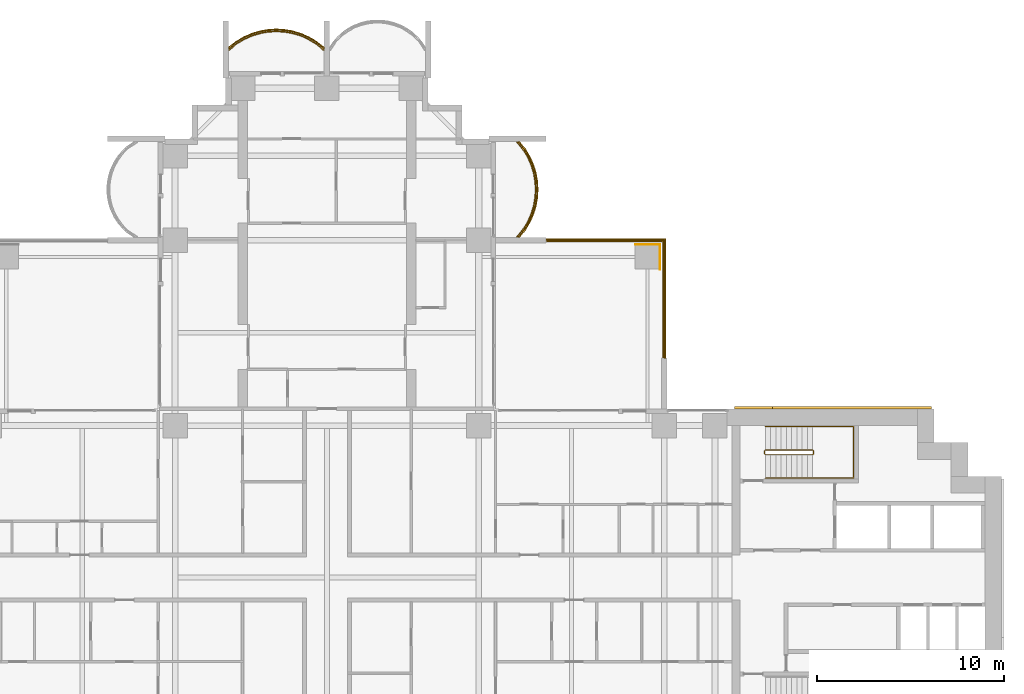
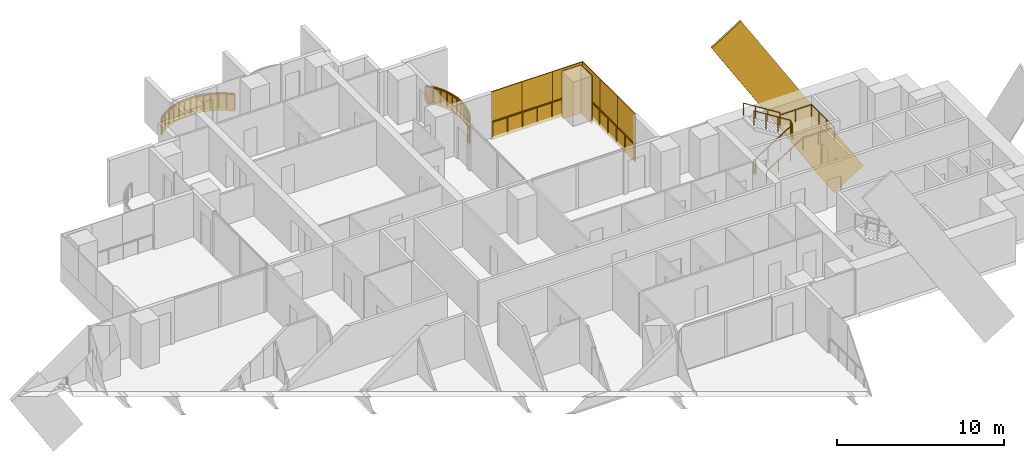
# One storey, part 21 of 22: 12 coverings, 5 railings.
"""IFC4 building model written with IfcOpenShell, lengths in metres."""

import ifcopenshell
import ifcopenshell.guid

model = None  # the IFC model being written
_history = None  # IfcOwnerHistory: only IFC2X3 demands one
_inside = {}  # id of a spatial element -> (the spatial element, [elements in it])
_under = {}  # id of a project, library or spatial element -> (it, [spatial elements below it])
_declared = {}  # id of a project -> (the project, [libraries it declares])
_typed = {}  # id of a type object -> (the type object, [elements of that type])
_made_of = {}  # id of a material, layer set ... -> (it, [elements and type objects made of it])


def new_model(schema):
    """Start an empty IFC model of exactly this schema.

    Asked for "IFC4X3", IfcOpenShell would pick the latest addendum, in which some entities
    have other attributes; the version numbers below select the first issue.
    IFC2X3 requires an IfcOwnerHistory on every rooted entity: one is made here for all.
    """
    global model, _history
    if schema == "IFC4X3":
        model = ifcopenshell.file(schema_version=(4, 3, 0, 0))
    else:
        model = ifcopenshell.file(schema=schema)
    _inside.clear()
    _under.clear()
    _declared.clear()
    _typed.clear()
    _made_of.clear()
    _history = None
    if model.schema == "IFC2X3":
        org = make("IfcOrganization", Name="unknown")
        user = make(
            "IfcPersonAndOrganization",
            ThePerson=make("IfcPerson", FamilyName="unknown"),
            TheOrganization=org,
        )
        app = make(
            "IfcApplication",
            ApplicationDeveloper=org,
            Version="unknown",
            ApplicationFullName="unknown",
            ApplicationIdentifier="unknown",
        )
        _history = make(
            "IfcOwnerHistory",
            OwningUser=user,
            OwningApplication=app,
            ChangeAction="ADDED",
            CreationDate=0,
        )
    return model


def make(cls, **values):
    """One entity of the class cls with the attributes given. An attribute that is None is left unset."""
    return model.create_entity(
        cls, **{name: value for name, value in values.items() if value is not None}
    )


def rooted(cls, **values):
    """An entity with a GlobalId (a new one), such as an element, a storey or a relation."""
    return make(cls, GlobalId=ifcopenshell.guid.new(), OwnerHistory=_history, **values)


def si_unit(unit_type, name, prefix=None):
    """IfcSIUnit, for example si_unit("LENGTHUNIT", "METRE", prefix="MILLI")."""
    return make("IfcSIUnit", UnitType=unit_type, Prefix=prefix, Name=name)


def assignment(units):
    """IfcUnitAssignment: the units of a project."""
    return None if units is None else make("IfcUnitAssignment", Units=units)


def point(xyz):
    """IfcCartesianPoint."""
    return None if xyz is None else make("IfcCartesianPoint", Coordinates=xyz)


def direction(xyz):
    """IfcDirection."""
    return None if xyz is None else make("IfcDirection", DirectionRatios=xyz)


def frame(location, z_axis=None, x_axis=None):
    """IfcAxis2Placement3D, a coordinate frame: its origin and axes. An axis left out is left unset."""
    return make(
        "IfcAxis2Placement3D",
        Location=point(location),
        Axis=direction(z_axis),
        RefDirection=direction(x_axis),
    )


def frame_2d(location, x_axis=None):
    """IfcAxis2Placement2D, a coordinate frame in the plane: its origin and x axis."""
    return make(
        "IfcAxis2Placement2D", Location=point(location), RefDirection=direction(x_axis)
    )


def origin():
    """The frame at (0, 0, 0) with its axes left unset."""
    return frame((0.0, 0.0, 0.0))


def origin_2d():
    """The frame at (0, 0) in the plane with its x axis left unset."""
    return frame_2d((0.0, 0.0))


def place(relative_to, where):
    """IfcLocalPlacement: puts the frame where relative to a parent placement (None: the world)."""
    return make(
        "IfcLocalPlacement", PlacementRelTo=relative_to, RelativePlacement=where
    )


def context(
    kind, dimensions, precision=None, world=None, true_north=None, identifier=None
):
    """IfcGeometricRepresentationContext, for example the 3D "Model" context."""
    return make(
        "IfcGeometricRepresentationContext",
        ContextIdentifier=identifier,
        ContextType=kind,
        CoordinateSpaceDimension=dimensions,
        Precision=precision,
        WorldCoordinateSystem=world,
        TrueNorth=true_north,
    )


def subcontext(parent, identifier, kind, view, scale=None):
    """IfcGeometricRepresentationSubContext, for example "Body" below "Model"."""
    return make(
        "IfcGeometricRepresentationSubContext",
        ContextIdentifier=identifier,
        ContextType=kind,
        ParentContext=parent,
        TargetScale=scale,
        TargetView=view,
    )


def project(units=None, contexts=None):
    """IfcProject with its units and contexts."""
    return rooted(
        "IfcProject",
        Name="project",
        RepresentationContexts=contexts,
        UnitsInContext=assignment(units),
    )


def spatial(cls, under=None, at=None, **own):
    """A site, building, storey or space (cls), placed at a placement, below another one or the project."""
    s = rooted(cls, ObjectPlacement=at, **own)
    if under is not None:
        _under.setdefault(under.id(), (under, []))[1].append(s)
    return s


def polyline(points):
    """IfcPolyline through the points."""
    return make("IfcPolyline", Points=[point(p) for p in points])


def profile(cls, at=None, kind="AREA", **sizes):
    """A parametric profile (cls). Its sizes go by their IFC names, for example OverallWidth=200.0."""
    return make(cls, ProfileType=kind, Position=at, **sizes)


def rectangle(**sizes):
    """IfcRectangleProfileDef."""
    return profile("IfcRectangleProfileDef", **sizes)


def outline(outer, holes=None, kind="AREA"):
    """IfcArbitraryClosedProfileDef: a profile drawn as a closed curve; with holes, ...WithVoids."""
    if holes is None:
        return make("IfcArbitraryClosedProfileDef", ProfileType=kind, OuterCurve=outer)
    return make(
        "IfcArbitraryProfileDefWithVoids",
        ProfileType=kind,
        OuterCurve=outer,
        InnerCurves=holes,
    )


def extrude(swept, where, along, depth):
    """IfcExtrudedAreaSolid: the profile swept, set in the frame where, extruded along a direction by depth."""
    return make(
        "IfcExtrudedAreaSolid",
        SweptArea=swept,
        Position=where,
        ExtrudedDirection=direction(along),
        Depth=depth,
    )


def shape(context_of_items, identifier, shape_type, items):
    """IfcShapeRepresentation: the items that make up one representation, for example the "Body"."""
    return make(
        "IfcShapeRepresentation",
        ContextOfItems=context_of_items,
        RepresentationIdentifier=identifier,
        RepresentationType=shape_type,
        Items=items,
    )


def material(Name=None, Category=None):
    """IfcMaterial."""
    return make("IfcMaterial", Name=Name, Category=Category)


def layer(
    of_material, thickness, ventilated=None, Name=None, Category=None, Priority=None
):
    """IfcMaterialLayer: one layer of a wall or slab, of a material (None: an air gap)."""
    return make(
        "IfcMaterialLayer",
        Material=of_material,
        LayerThickness=thickness,
        IsVentilated=ventilated,
        Name=Name,
        Category=Category,
        Priority=Priority,
    )


def layer_set(layers, Name=None):
    """IfcMaterialLayerSet."""
    return make("IfcMaterialLayerSet", MaterialLayers=layers, LayerSetName=Name)


def material_profile(
    of_material, cross_section, Name=None, Category=None, Priority=None
):
    """IfcMaterialProfile: a cross section and its material."""
    return make(
        "IfcMaterialProfile",
        Name=Name,
        Material=of_material,
        Profile=cross_section,
        Priority=Priority,
        Category=Category,
    )


def profile_set(profiles, Name=None, composite=None):
    """IfcMaterialProfileSet."""
    return make(
        "IfcMaterialProfileSet",
        Name=Name,
        MaterialProfiles=profiles,
        CompositeProfile=composite,
    )


def made_of(thing, what):
    """Note that an element or type object is made of a material, layer set ...; save() writes the relation."""
    if what is not None:
        _made_of.setdefault(what.id(), (what, []))[1].append(thing)
    return thing


def type_object(cls, material=None, **own):
    """A type object (cls), such as IfcWallType, which elements share."""
    return made_of(rooted(cls, **own), material)


def element(
    cls,
    number,
    at=None,
    inside=None,
    cuts=None,
    type_object=None,
    material=None,
    context=None,
    identifier="Body",
    shape_type=None,
    held_by="IfcProductDefinitionShape",
    body=None,
    shapes=None,
    **own,
):
    """One element of the class cls, such as IfcWall. Its Tag is "e" and its number.

    at: its placement. inside: the storey or other place that contains it. cuts: it is an
    opening in that element (IfcRelVoidsElement). A single representation is given by context,
    identifier, shape_type and body (its items); several are given by shapes. held_by: the class
    of the entity that holds the representations. save() writes the other relations.
    """
    e = rooted(cls, Tag="e%d" % number, ObjectPlacement=at, **own)
    if body is not None:
        shapes = [shape(context, identifier, shape_type, body)]
    if shapes is not None:
        e.Representation = make(held_by, Representations=shapes)
    if inside is not None:
        _inside.setdefault(inside.id(), (inside, []))[1].append(e)
    if cuts is not None:
        rooted(
            "IfcRelVoidsElement", RelatingBuildingElement=cuts, RelatedOpeningElement=e
        )
    if type_object is not None:
        _typed.setdefault(type_object.id(), (type_object, []))[1].append(e)
    return made_of(e, material)


def aggregate(whole, parts):
    """IfcRelAggregates: a whole, such as a stair, and the parts it consists of."""
    return rooted("IfcRelAggregates", RelatingObject=whole, RelatedObjects=parts)


def save(model, path):
    """Write the relations noted so far, then the file.

    IfcRelAggregates (storeys below a building ...), IfcRelContainedInSpatialStructure (elements
    in a storey), IfcRelDefinesByType, IfcRelAssociatesMaterial and IfcRelDeclares: one each for
    every whole, place, type object, material and project.
    """
    for whole, parts in _under.values():
        aggregate(whole, parts)
    for where, things in _inside.values():
        rooted(
            "IfcRelContainedInSpatialStructure",
            RelatedElements=things,
            RelatingStructure=where,
        )
    for kind, things in _typed.values():
        rooted("IfcRelDefinesByType", RelatedObjects=things, RelatingType=kind)
    for what, things in _made_of.values():
        rooted("IfcRelAssociatesMaterial", RelatedObjects=things, RelatingMaterial=what)
    for by, libraries in _declared.values():
        rooted("IfcRelDeclares", RelatingContext=by, RelatedDefinitions=libraries)
    model.write(path)


model = new_model("IFC4")

# Units and contexts
model_context = context("Model", 3, precision=1e-05, world=origin(), true_north=direction((0.0, 1.0)))
body_context = subcontext(model_context, "Body", "Model", "MODEL_VIEW")
ifc_project = project(units=[si_unit("LENGTHUNIT", "METRE"), si_unit("AREAUNIT", "SQUARE_METRE"), si_unit("VOLUMEUNIT", "CUBIC_METRE"), si_unit("PLANEANGLEUNIT", "RADIAN"), si_unit("MASSUNIT", "GRAM", prefix="KILO")], contexts=[model_context])

# Site, building, storey
site_placement = place(None, origin())
site = spatial("IfcSite", under=ifc_project, at=site_placement, CompositionType="ELEMENT")
building_placement = place(site_placement, origin())
building = spatial("IfcBuilding", under=site, at=building_placement, Name="Perihelion Cross Residences", CompositionType="ELEMENT")
storey_placement = place(building_placement, frame((0.0, 0.0, 50.5)))
storey = spatial("IfcBuildingStorey", under=building, at=storey_placement, Name="L09", CompositionType="ELEMENT", Elevation=50.5)

# Coverings
ifc_material_1 = material(Name="Bronze anodised aluminium", Category="aluminium")
ifc_layer_1 = layer(ifc_material_1, 0.070068359375)
ifc_layer_set_1 = layer_set([ifc_layer_1], Name="Balcony fascia 1300")
covering_type_1 = type_object("IfcCoveringType", Name="Balcony fascia 1300", PredefinedType="CLADDING", material=ifc_layer_set_1)
covering_1_placement = place(storey_placement, frame((0.0, 0.0, -0.199951171875)))
element("IfcCovering", 1, at=covering_1_placement, inside=storey, type_object=covering_type_1, Name="Fascia BF1 L09 north side east bay 2", PredefinedType="CLADDING", context=body_context, shape_type="SweptSolid", body=[
    extrude(outline(polyline([(10.59765625, 18.53515625), (10.85498046875, 18.96826171875), (11.04248046875, 19.401123046875), (11.170654296875, 19.833984375), (11.245361328125, 20.26708984375), (11.27001953125, 20.699951171875), (11.245361328125, 21.133056640625), (11.170654296875, 21.56591796875), (11.04248046875, 21.998779296875), (10.85498046875, 22.431884765625), (10.59765625, 22.86474609375), (10.28955078125, 23.25), (10.199951171875, 23.25), (10.5400390625, 22.824951171875), (10.792724609375, 22.39990234375), (10.9765625, 21.97509765625), (11.1025390625, 21.550048828125), (11.17578125, 21.125), (11.199951171875, 20.699951171875), (11.17578125, 20.27490234375), (11.1025390625, 19.85009765625), (10.9765625, 19.425048828125), (10.792724609375, 19.0), (10.5400390625, 18.574951171875), (10.199951171875, 18.14990234375), (10.28955078125, 18.14990234375), (10.59765625, 18.53515625)])), origin(), (0.0, 0.0, 1.0), 1.300048828125),
])
covering_2_placement = place(storey_placement, frame((0.0, 0.0, -0.199951171875)))
element("IfcCovering", 2, at=covering_2_placement, inside=storey, type_object=covering_type_1, Name="Fascia BF1 L09 north tip north bay 2", PredefinedType="CLADDING", context=body_context, shape_type="SweptSolid", body=[
    extrude(outline(polyline([(-0.53515625, 28.59765625), (-0.96826171875, 28.85498046875), (-1.401123046875, 29.04248046875), (-1.833984375, 29.170654296875), (-2.26708984375, 29.245361328125), (-2.699951171875, 29.27001953125), (-3.133056640625, 29.245361328125), (-3.56591796875, 29.170654296875), (-3.998779296875, 29.04248046875), (-4.431884765625, 28.85498046875), (-4.86474609375, 28.59765625), (-5.25, 28.28955078125), (-5.25, 28.199951171875), (-4.824951171875, 28.5400390625), (-4.39990234375, 28.792724609375), (-3.97509765625, 28.9765625), (-3.550048828125, 29.1025390625), (-3.125, 29.17578125), (-2.699951171875, 29.199951171875), (-2.27490234375, 29.17578125), (-1.85009765625, 29.1025390625), (-1.425048828125, 28.9765625), (-1.0, 28.792724609375), (-0.574951171875, 28.5400390625), (-0.14990234375, 28.199951171875), (-0.14990234375, 28.28955078125), (-0.53515625, 28.59765625)])), origin(), (0.0, 0.0, 1.0), 1.300048828125),
])

# Railings
ifc_material_2 = material(Name="Bronze anodised aluminium", Category="aluminium")
railing_type_1 = type_object("IfcRailingType", Name="Balcony guard 1100", PredefinedType="GUARDRAIL", material=ifc_material_2)
railing_1_placement = place(storey_placement, frame((10.139892578125, 18.175048828125, 0.0)))
element("IfcRailing", 3, at=railing_1_placement, inside=storey, type_object=railing_type_1, Name="Guard GU1 L09 north side east bay 2 balcony", PredefinedType="GUARDRAIL", context=body_context, shape_type="SweptSolid", body=[
    extrude(rectangle(XDim=0.048095703125, YDim=0.048095703125, at=origin_2d()), frame((0.0, 0.0, 1.076171875), z_axis=(0.647837396648, 0.761778647315, 0.0), x_axis=(-0.761778647315, 0.647837396648, 0.0)), (0.0, 0.0, 1.0), 0.52490234375),
    extrude(rectangle(XDim=0.048095703125, YDim=0.048095703125, at=origin_2d()), frame((0.340087890625, 0.39990234375, 1.076171875), z_axis=(0.511006381501, 0.859576918062, 0.0), x_axis=(-0.859576918062, 0.511006381501, 0.0)), (0.0, 0.0, 1.0), 0.494384765625),
    extrude(rectangle(XDim=0.048095703125, YDim=0.048095703125, at=origin_2d()), frame((0.5927734375, 0.824951171875, 1.076171875), z_axis=(0.397415137459, 0.917638931453, 0.0), x_axis=(-0.917638931453, 0.397415137459, 0.0)), (0.0, 0.0, 1.0), 0.463134765625),
    extrude(rectangle(XDim=0.048095703125, YDim=0.048095703125, at=origin_2d()), frame((0.77685546875, 1.25, 1.076171875), z_axis=(0.283656975924, 0.958925815697, 0.0), x_axis=(-0.958925815697, 0.283656975924, 0.0)), (0.0, 0.0, 1.0), 0.443359375),
    extrude(rectangle(XDim=0.048095703125, YDim=0.048095703125, at=origin_2d()), frame((0.902587890625, 1.675048828125, 1.076171875), z_axis=(0.170456843651, 0.985365142702, 0.0), x_axis=(-0.985365142702, 0.170456843651, 0.0)), (0.0, 0.0, 1.0), 0.43115234375),
    extrude(rectangle(XDim=0.048095703125, YDim=0.048095703125, at=origin_2d()), frame((0.97607421875, 2.099853515625, 1.076171875), z_axis=(0.056200523353, 0.9984195016, 0.0), x_axis=(-0.9984195016, 0.056200523353, 0.0)), (0.0, 0.0, 1.0), 0.42578125),
    extrude(rectangle(XDim=0.048095703125, YDim=0.048095703125, at=origin_2d()), frame((1.0, 2.52490234375, 1.076171875), z_axis=(-0.056200523353, 0.9984195016, 0.0), x_axis=(-0.9984195016, -0.056200523353, 0.0)), (0.0, 0.0, 1.0), 0.42578125),
    extrude(rectangle(XDim=0.048095703125, YDim=0.048095703125, at=origin_2d()), frame((0.97607421875, 2.949951171875, 1.076171875), z_axis=(-0.17036177859, 0.985381583142, 0.0), x_axis=(-0.985381583142, -0.17036177859, 0.0)), (0.0, 0.0, 1.0), 0.431396484375),
    extrude(rectangle(XDim=0.048095703125, YDim=0.048095703125, at=origin_2d()), frame((0.902587890625, 3.375, 1.076171875), z_axis=(-0.283656975924, 0.958925815697, 0.0), x_axis=(-0.958925815697, -0.283656975924, 0.0)), (0.0, 0.0, 1.0), 0.443359375),
    extrude(rectangle(XDim=0.048095703125, YDim=0.048095703125, at=origin_2d()), frame((0.77685546875, 3.800048828125, 1.076171875), z_axis=(-0.397607437634, 0.91755562531, 0.0), x_axis=(-0.91755562531, -0.397607437634, 0.0)), (0.0, 0.0, 1.0), 0.462890625),
    extrude(rectangle(XDim=0.048095703125, YDim=0.048095703125, at=origin_2d()), frame((0.5927734375, 4.224853515625, 1.076171875), z_axis=(-0.511006381501, 0.859576918062, 0.0), x_axis=(-0.859576918062, -0.511006381501, 0.0)), (0.0, 0.0, 1.0), 0.494384765625),
    extrude(rectangle(XDim=0.048095703125, YDim=0.048095703125, at=origin_2d()), frame((0.340087890625, 4.64990234375, 1.076171875), z_axis=(-0.647607934281, 0.761973728849, 0.0), x_axis=(-0.761973728849, -0.647607934281, 0.0)), (0.0, 0.0, 1.0), 0.525146484375),
    extrude(rectangle(XDim=0.0419921875, YDim=0.0419921875, at=origin_2d()), origin(), (0.0, 0.0, 1.0), 1.052001953125),
    extrude(rectangle(XDim=0.0419921875, YDim=0.0419921875, at=origin_2d()), frame((0.340087890625, 0.39990234375, 0.0)), (0.0, 0.0, 1.0), 1.052001953125),
    extrude(rectangle(XDim=0.0419921875, YDim=0.0419921875, at=origin_2d()), frame((0.5927734375, 0.824951171875, 0.0)), (0.0, 0.0, 1.0), 1.052001953125),
    extrude(rectangle(XDim=0.0419921875, YDim=0.0419921875, at=origin_2d()), frame((0.77685546875, 1.25, 0.0)), (0.0, 0.0, 1.0), 1.052001953125),
    extrude(rectangle(XDim=0.0419921875, YDim=0.0419921875, at=origin_2d()), frame((0.902587890625, 1.675048828125, 0.0)), (0.0, 0.0, 1.0), 1.052001953125),
    extrude(rectangle(XDim=0.0419921875, YDim=0.0419921875, at=origin_2d()), frame((0.97607421875, 2.099853515625, 0.0)), (0.0, 0.0, 1.0), 1.052001953125),
    extrude(rectangle(XDim=0.0419921875, YDim=0.0419921875, at=origin_2d()), frame((1.0, 2.52490234375, 0.0)), (0.0, 0.0, 1.0), 1.052001953125),
    extrude(rectangle(XDim=0.0419921875, YDim=0.0419921875, at=origin_2d()), frame((0.97607421875, 2.949951171875, 0.0)), (0.0, 0.0, 1.0), 1.052001953125),
    extrude(rectangle(XDim=0.0419921875, YDim=0.0419921875, at=origin_2d()), frame((0.902587890625, 3.375, 0.0)), (0.0, 0.0, 1.0), 1.052001953125),
    extrude(rectangle(XDim=0.0419921875, YDim=0.0419921875, at=origin_2d()), frame((0.77685546875, 3.800048828125, 0.0)), (0.0, 0.0, 1.0), 1.052001953125),
    extrude(rectangle(XDim=0.0419921875, YDim=0.0419921875, at=origin_2d()), frame((0.5927734375, 4.224853515625, 0.0)), (0.0, 0.0, 1.0), 1.052001953125),
    extrude(rectangle(XDim=0.0419921875, YDim=0.0419921875, at=origin_2d()), frame((0.340087890625, 4.64990234375, 0.0)), (0.0, 0.0, 1.0), 1.052001953125),
    extrude(rectangle(XDim=0.0419921875, YDim=0.0419921875, at=origin_2d()), frame((0.0, 5.050048828125, 0.0)), (0.0, 0.0, 1.0), 1.052001953125),
])
railing_2_placement = place(storey_placement, frame((-0.175048828125, 28.139892578125, 0.0)))
element("IfcRailing", 4, at=railing_2_placement, inside=storey, type_object=railing_type_1, Name="Guard GU1 L09 north tip north bay 2 balcony", PredefinedType="GUARDRAIL", context=body_context, shape_type="SweptSolid", body=[
    extrude(rectangle(XDim=0.048095703125, YDim=0.048095703125, at=origin_2d()), frame((0.0, 0.0, 1.076171875), z_axis=(-0.761778647315, 0.647837396648, 0.0), x_axis=(-0.647837396648, -0.761778647315, 0.0)), (0.0, 0.0, 1.0), 0.52490234375),
    extrude(rectangle(XDim=0.048095703125, YDim=0.048095703125, at=origin_2d()), frame((-0.39990234375, 0.340087890625, 1.076171875), z_axis=(-0.859576918062, 0.511006381501, 0.0), x_axis=(-0.511006381501, -0.859576918062, 0.0)), (0.0, 0.0, 1.0), 0.494384765625),
    extrude(rectangle(XDim=0.048095703125, YDim=0.048095703125, at=origin_2d()), frame((-0.824951171875, 0.5927734375, 1.076171875), z_axis=(-0.917638931453, 0.397415137459, 0.0), x_axis=(-0.397415137459, -0.917638931453, 0.0)), (0.0, 0.0, 1.0), 0.463134765625),
    extrude(rectangle(XDim=0.048095703125, YDim=0.048095703125, at=origin_2d()), frame((-1.25, 0.77685546875, 1.076171875), z_axis=(-0.958925815697, 0.283656975924, 0.0), x_axis=(-0.283656975924, -0.958925815697, 0.0)), (0.0, 0.0, 1.0), 0.443359375),
    extrude(rectangle(XDim=0.048095703125, YDim=0.048095703125, at=origin_2d()), frame((-1.675048828125, 0.902587890625, 1.076171875), z_axis=(-0.985365142702, 0.170456843651, 0.0), x_axis=(-0.170456843651, -0.985365142702, 0.0)), (0.0, 0.0, 1.0), 0.43115234375),
    extrude(rectangle(XDim=0.048095703125, YDim=0.048095703125, at=origin_2d()), frame((-2.099853515625, 0.97607421875, 1.076171875), z_axis=(-0.9984195016, 0.056200523353, 0.0), x_axis=(-0.056200523353, -0.9984195016, 0.0)), (0.0, 0.0, 1.0), 0.42578125),
    extrude(rectangle(XDim=0.048095703125, YDim=0.048095703125, at=origin_2d()), frame((-2.52490234375, 1.0, 1.076171875), z_axis=(-0.9984195016, -0.056200523353, 0.0), x_axis=(0.056200523353, -0.9984195016, 0.0)), (0.0, 0.0, 1.0), 0.42578125),
    extrude(rectangle(XDim=0.048095703125, YDim=0.048095703125, at=origin_2d()), frame((-2.949951171875, 0.97607421875, 1.076171875), z_axis=(-0.985381583142, -0.17036177859, 0.0), x_axis=(0.17036177859, -0.985381583142, 0.0)), (0.0, 0.0, 1.0), 0.431396484375),
    extrude(rectangle(XDim=0.048095703125, YDim=0.048095703125, at=origin_2d()), frame((-3.375, 0.902587890625, 1.076171875), z_axis=(-0.958925815697, -0.283656975924, 0.0), x_axis=(0.283656975924, -0.958925815697, 0.0)), (0.0, 0.0, 1.0), 0.443359375),
    extrude(rectangle(XDim=0.048095703125, YDim=0.048095703125, at=origin_2d()), frame((-3.800048828125, 0.77685546875, 1.076171875), z_axis=(-0.91755562531, -0.397607437634, 0.0), x_axis=(0.397607437634, -0.91755562531, 0.0)), (0.0, 0.0, 1.0), 0.462890625),
    extrude(rectangle(XDim=0.048095703125, YDim=0.048095703125, at=origin_2d()), frame((-4.224853515625, 0.5927734375, 1.076171875), z_axis=(-0.859576918062, -0.511006381501, 0.0), x_axis=(0.511006381501, -0.859576918062, 0.0)), (0.0, 0.0, 1.0), 0.494384765625),
    extrude(rectangle(XDim=0.048095703125, YDim=0.048095703125, at=origin_2d()), frame((-4.64990234375, 0.340087890625, 1.076171875), z_axis=(-0.761973728849, -0.647607934281, 0.0), x_axis=(0.647607934281, -0.761973728849, 0.0)), (0.0, 0.0, 1.0), 0.525146484375),
    extrude(rectangle(XDim=0.0419921875, YDim=0.0419921875, at=origin_2d()), origin(), (0.0, 0.0, 1.0), 1.052001953125),
    extrude(rectangle(XDim=0.0419921875, YDim=0.0419921875, at=origin_2d()), frame((-0.39990234375, 0.340087890625, 0.0)), (0.0, 0.0, 1.0), 1.052001953125),
    extrude(rectangle(XDim=0.0419921875, YDim=0.0419921875, at=origin_2d()), frame((-0.824951171875, 0.5927734375, 0.0)), (0.0, 0.0, 1.0), 1.052001953125),
    extrude(rectangle(XDim=0.0419921875, YDim=0.0419921875, at=origin_2d()), frame((-1.25, 0.77685546875, 0.0)), (0.0, 0.0, 1.0), 1.052001953125),
    extrude(rectangle(XDim=0.0419921875, YDim=0.0419921875, at=origin_2d()), frame((-1.675048828125, 0.902587890625, 0.0)), (0.0, 0.0, 1.0), 1.052001953125),
    extrude(rectangle(XDim=0.0419921875, YDim=0.0419921875, at=origin_2d()), frame((-2.099853515625, 0.97607421875, 0.0)), (0.0, 0.0, 1.0), 1.052001953125),
    extrude(rectangle(XDim=0.0419921875, YDim=0.0419921875, at=origin_2d()), frame((-2.52490234375, 1.0, 0.0)), (0.0, 0.0, 1.0), 1.052001953125),
    extrude(rectangle(XDim=0.0419921875, YDim=0.0419921875, at=origin_2d()), frame((-2.949951171875, 0.97607421875, 0.0)), (0.0, 0.0, 1.0), 1.052001953125),
    extrude(rectangle(XDim=0.0419921875, YDim=0.0419921875, at=origin_2d()), frame((-3.375, 0.902587890625, 0.0)), (0.0, 0.0, 1.0), 1.052001953125),
    extrude(rectangle(XDim=0.0419921875, YDim=0.0419921875, at=origin_2d()), frame((-3.800048828125, 0.77685546875, 0.0)), (0.0, 0.0, 1.0), 1.052001953125),
    extrude(rectangle(XDim=0.0419921875, YDim=0.0419921875, at=origin_2d()), frame((-4.224853515625, 0.5927734375, 0.0)), (0.0, 0.0, 1.0), 1.052001953125),
    extrude(rectangle(XDim=0.0419921875, YDim=0.0419921875, at=origin_2d()), frame((-4.64990234375, 0.340087890625, 0.0)), (0.0, 0.0, 1.0), 1.052001953125),
    extrude(rectangle(XDim=0.0419921875, YDim=0.0419921875, at=origin_2d()), frame((-5.050048828125, 0.0, 0.0)), (0.0, 0.0, 1.0), 1.052001953125),
])
railing_3_placement = place(storey_placement, frame((11.739990234375, 17.93994140625, 0.0)))
element("IfcRailing", 5, at=railing_3_placement, inside=storey, type_object=railing_type_1, Name="Guard GU1 L09 pocket north-east 1", PredefinedType="GUARDRAIL", context=body_context, shape_type="SweptSolid", body=[
    extrude(rectangle(XDim=0.048095703125, YDim=0.048095703125, at=origin_2d()), frame((0.0, 0.0, 1.076171875), z_axis=(1.0, 0.0, 0.0), x_axis=(0.0, 1.0, 0.0)), (0.0, 0.0, 1.0), 6.199951171875),
    extrude(rectangle(XDim=0.048095703125, YDim=0.048095703125, at=origin_2d()), frame((6.199951171875, 0.0, 1.076171875), z_axis=(0.0, -1.0, 0.0), x_axis=(1.0, 0.0, 0.0)), (0.0, 0.0, 1.0), 6.199951171875),
    extrude(rectangle(XDim=0.0419921875, YDim=0.0419921875, at=origin_2d()), origin(), (0.0, 0.0, 1.0), 1.052001953125),
    extrude(rectangle(XDim=0.0419921875, YDim=0.0419921875, at=origin_2d()), frame((1.033203125, 0.0, 0.0)), (0.0, 0.0, 1.0), 1.052001953125),
    extrude(rectangle(XDim=0.0419921875, YDim=0.0419921875, at=origin_2d()), frame((2.066650390625, 0.0, 0.0)), (0.0, 0.0, 1.0), 1.052001953125),
    extrude(rectangle(XDim=0.0419921875, YDim=0.0419921875, at=origin_2d()), frame((3.10009765625, 0.0, 0.0)), (0.0, 0.0, 1.0), 1.052001953125),
    extrude(rectangle(XDim=0.0419921875, YDim=0.0419921875, at=origin_2d()), frame((4.13330078125, 0.0, 0.0)), (0.0, 0.0, 1.0), 1.052001953125),
    extrude(rectangle(XDim=0.0419921875, YDim=0.0419921875, at=origin_2d()), frame((5.16650390625, 0.0, 0.0)), (0.0, 0.0, 1.0), 1.052001953125),
    extrude(rectangle(XDim=0.0419921875, YDim=0.0419921875, at=origin_2d()), frame((6.199951171875, 0.0, 0.0)), (0.0, 0.0, 1.0), 1.052001953125),
    extrude(rectangle(XDim=0.0419921875, YDim=0.0419921875, at=origin_2d()), frame((6.199951171875, -1.033203125, 0.0)), (0.0, 0.0, 1.0), 1.052001953125),
    extrude(rectangle(XDim=0.0419921875, YDim=0.0419921875, at=origin_2d()), frame((6.199951171875, -2.066650390625, 0.0)), (0.0, 0.0, 1.0), 1.052001953125),
    extrude(rectangle(XDim=0.0419921875, YDim=0.0419921875, at=origin_2d()), frame((6.199951171875, -3.10009765625, 0.0)), (0.0, 0.0, 1.0), 1.052001953125),
    extrude(rectangle(XDim=0.0419921875, YDim=0.0419921875, at=origin_2d()), frame((6.199951171875, -4.13330078125, 0.0)), (0.0, 0.0, 1.0), 1.052001953125),
    extrude(rectangle(XDim=0.0419921875, YDim=0.0419921875, at=origin_2d()), frame((6.199951171875, -5.16650390625, 0.0)), (0.0, 0.0, 1.0), 1.052001953125),
    extrude(rectangle(XDim=0.0419921875, YDim=0.0419921875, at=origin_2d()), frame((6.199951171875, -6.199951171875, 0.0)), (0.0, 0.0, 1.0), 1.052001953125),
])

# Coverings
ifc_material_3 = material(Name="Bronze anodised aluminium", Category="aluminium")
ifc_material_profile = material_profile(ifc_material_3, rectangle(XDim=0.125, YDim=2.39990234375, at=origin_2d()), Name="Bronze cladding band 2400")
ifc_profile_set = profile_set([ifc_material_profile], Name="Bronze anodised aluminium")
covering_type_2 = type_object("IfcCoveringType", Name="Bronze cladding band 2400", PredefinedType="CLADDING", material=ifc_profile_set)
covering_3_placement = place(storey_placement, frame((31.232421875, 9.0625, -4.509765625), z_axis=(-0.529924750763, 0.0, 0.848044667767), x_axis=(0.0, -1.0, 0.0)))
element("IfcCovering", 6, at=covering_3_placement, inside=storey, type_object=covering_type_2, Name="Core cladding band, east core", PredefinedType="CLADDING", context=body_context, shape_type="SweptSolid", body=[
    extrude(rectangle(XDim=0.125, YDim=2.39990234375, at=origin_2d()), origin(), (0.0, 0.0, 1.0), 15.9736328125),
])
ifc_material_4 = material(Name="Bronze anodised aluminium", Category="aluminium")
ifc_layer_2 = layer(ifc_material_4, 0.0400390625)
ifc_layer_set_2 = layer_set([ifc_layer_2], Name="Bronze column casing 40")
covering_type_3 = type_object("IfcCoveringType", Name="Bronze column casing 40", PredefinedType="CLADDING", material=ifc_layer_set_2)
covering_4_placement = place(storey_placement, frame((17.77001953125, 17.10009765625, -0.25), z_axis=(0.0, 0.0, 1.0), x_axis=(1.0, 0.0, 0.0)))
element("IfcCovering", 7, at=covering_4_placement, inside=storey, type_object=covering_type_3, Name="Cladding CC1 L09 casing east-west no. 4", PredefinedType="CLADDING", context=body_context, shape_type="SweptSolid", body=[
    extrude(rectangle(XDim=0.0400390625, YDim=1.3798828125, at=origin_2d()), origin(), (0.0, 0.0, 1.0), 3.5),
])
covering_5_placement = place(storey_placement, frame((17.10009765625, 17.77001953125, -0.25), z_axis=(0.0, 0.0, 1.0), x_axis=(1.0, 0.0, 0.0)))
element("IfcCovering", 8, at=covering_5_placement, inside=storey, type_object=covering_type_3, Name="Cladding CC1 L09 casing north-south no. 4", PredefinedType="CLADDING", context=body_context, shape_type="SweptSolid", body=[
    extrude(rectangle(XDim=1.300048828125, YDim=0.0400390625, at=origin_2d()), origin(), (0.0, 0.0, 1.0), 3.5),
])
ifc_material_5 = material(Name="Bronze anodised aluminium", Category="aluminium")
ifc_layer_3 = layer(ifc_material_5, 0.070068359375)
ifc_layer_set_3 = layer_set([ifc_layer_3], Name="Pocket fascia 1350")
covering_type_4 = type_object("IfcCoveringType", Name="Pocket fascia 1350", PredefinedType="CLADDING", material=ifc_layer_set_3)
covering_6_placement = place(storey_placement, frame((0.0, 0.0, -0.25)))
element("IfcCovering", 9, at=covering_6_placement, inside=storey, type_object=covering_type_4, Name="Fascia BF2 L09 pocket north-east 3", PredefinedType="CLADDING", context=body_context, shape_type="SweptSolid", body=[
    extrude(outline(polyline([(18.070068359375, 18.070068359375), (11.699951171875, 18.070068359375), (11.699951171875, 18.0), (18.0, 18.0), (18.0, 11.699951171875), (18.070068359375, 11.699951171875), (18.070068359375, 18.070068359375)])), origin(), (0.0, 0.0, 1.0), 1.35009765625),
])
ifc_material_6 = material(Name="Bronze perforated aluminium", Category="aluminium")
ifc_layer_4 = layer(ifc_material_6, 0.070068359375)
ifc_layer_set_4 = layer_set([ifc_layer_4], Name="Pocket solar screen, bronze perforated")
covering_type_5 = type_object("IfcCoveringType", Name="Pocket solar screen, bronze perforated", PredefinedType="CLADDING", material=ifc_layer_set_4)
covering_7_placement = place(storey_placement, frame((0.0, 0.0, 1.10009765625)))
element("IfcCovering", 10, at=covering_7_placement, inside=storey, type_object=covering_type_5, Name="Solar screen PS1 L09 pocket north-east no. 1", PredefinedType="CLADDING", context=body_context, shape_type="SweptSolid", body=[
    extrude(outline(polyline([(18.070068359375, 11.699951171875), (18.070068359375, 13.800048828125), (18.0, 13.800048828125), (18.0, 11.699951171875), (18.070068359375, 11.699951171875)])), origin(), (0.0, 0.0, 1.0), 2.14990234375),
])
covering_8_placement = place(storey_placement, frame((0.0, 0.0, 1.10009765625)))
element("IfcCovering", 11, at=covering_8_placement, inside=storey, type_object=covering_type_5, Name="Solar screen PS1 L09 pocket north-east no. 2", PredefinedType="CLADDING", context=body_context, shape_type="SweptSolid", body=[
    extrude(outline(polyline([(18.070068359375, 13.800048828125), (18.070068359375, 15.89990234375), (18.0, 15.89990234375), (18.0, 13.800048828125), (18.070068359375, 13.800048828125)])), origin(), (0.0, 0.0, 1.0), 2.14990234375),
])
covering_9_placement = place(storey_placement, frame((0.0, 0.0, 1.10009765625)))
element("IfcCovering", 12, at=covering_9_placement, inside=storey, type_object=covering_type_5, Name="Solar screen PS1 L09 pocket north-east no. 3", PredefinedType="CLADDING", context=body_context, shape_type="SweptSolid", body=[
    extrude(outline(polyline([(18.070068359375, 15.89990234375), (18.070068359375, 18.0), (18.0, 18.0), (18.0, 15.89990234375), (18.070068359375, 15.89990234375)])), origin(), (0.0, 0.0, 1.0), 2.14990234375),
])
covering_10_placement = place(storey_placement, frame((0.0, 0.0, 1.10009765625)))
element("IfcCovering", 13, at=covering_10_placement, inside=storey, type_object=covering_type_5, Name="Solar screen PS1 L09 pocket north-east no. 4", PredefinedType="CLADDING", context=body_context, shape_type="SweptSolid", body=[
    extrude(outline(polyline([(13.8232421875, 18.0), (13.8232421875, 18.070068359375), (11.699951171875, 18.070068359375), (11.699951171875, 18.0), (13.8232421875, 18.0)])), origin(), (0.0, 0.0, 1.0), 2.14990234375),
])
covering_11_placement = place(storey_placement, frame((0.0, 0.0, 1.10009765625)))
element("IfcCovering", 14, at=covering_11_placement, inside=storey, type_object=covering_type_5, Name="Solar screen PS1 L09 pocket north-east no. 5", PredefinedType="CLADDING", context=body_context, shape_type="SweptSolid", body=[
    extrude(outline(polyline([(15.94677734375, 18.0), (15.94677734375, 18.070068359375), (13.8232421875, 18.070068359375), (13.8232421875, 18.0), (15.94677734375, 18.0)])), origin(), (0.0, 0.0, 1.0), 2.14990234375),
])
covering_12_placement = place(storey_placement, frame((0.0, 0.0, 1.10009765625)))
element("IfcCovering", 15, at=covering_12_placement, inside=storey, type_object=covering_type_5, Name="Solar screen PS1 L09 pocket north-east no. 6", PredefinedType="CLADDING", context=body_context, shape_type="SweptSolid", body=[
    extrude(outline(polyline([(18.070068359375, 18.0), (18.070068359375, 18.070068359375), (15.94677734375, 18.070068359375), (15.94677734375, 18.0), (18.070068359375, 18.0)])), origin(), (0.0, 0.0, 1.0), 2.14990234375),
])

# Railings
ifc_material_7 = material(Name="Stainless steel", Category="steel")
railing_type_2 = type_object("IfcRailingType", Name="Stair guard 1100", PredefinedType="GUARDRAIL", material=ifc_material_7)
railing_4_placement = place(storey_placement, frame((23.35009765625, 6.75, 0.0)))
element("IfcRailing", 16, at=railing_4_placement, inside=storey, type_object=railing_type_2, Name="L09 ST-E1 stair guard 1", PredefinedType="GUARDRAIL", context=body_context, shape_type="SweptSolid", body=[
    extrude(rectangle(XDim=0.048095703125, YDim=0.048095703125, at=origin_2d()), frame((0.0, 0.0, 1.076171875), z_axis=(0.0, -1.0, 0.0), x_axis=(1.0, 0.0, 0.0)), (0.0, 0.0, 1.0), 0.14990234375),
    extrude(rectangle(XDim=0.048095703125, YDim=0.048095703125, at=origin_2d()), frame((0.0, -0.14990234375, 1.076171875), z_axis=(0.263862480399, -0.265155923931, 0.927399011991), x_axis=(0.708833529934, 0.705375805398, 0.0)), (0.0, 0.0, 1.0), 0.188720703125),
    extrude(rectangle(XDim=0.048095703125, YDim=0.048095703125, at=origin_2d()), frame((0.0498046875, -0.199951171875, 1.2509765625), z_axis=(0.848007534815, 0.0, 0.529984170421), x_axis=(0.0, 1.0, 0.0)), (0.0, 0.0, 1.0), 2.9716796875),
    extrude(rectangle(XDim=0.048095703125, YDim=0.048095703125, at=origin_2d()), frame((2.56982421875, -0.199951171875, 2.826171875), z_axis=(0.707106781187, 0.707106781187, 0.0), x_axis=(-0.707106781187, 0.707106781187, 0.0)), (0.0, 0.0, 1.0), 0.07080078125),
    extrude(rectangle(XDim=0.048095703125, YDim=0.048095703125, at=origin_2d()), frame((2.619873046875, -0.14990234375, 2.826171875), z_axis=(0.0, 1.0, 0.0), x_axis=(-1.0, 0.0, 0.0)), (0.0, 0.0, 1.0), 0.14990234375),
    extrude(rectangle(XDim=0.048095703125, YDim=0.048095703125, at=origin_2d()), frame((2.619873046875, 0.0, 2.826171875), z_axis=(-0.265065253269, 0.265065253269, 0.927081885822), x_axis=(-0.707106781187, -0.707106781187, 0.0)), (0.0, 0.0, 1.0), 0.188720703125),
    extrude(rectangle(XDim=0.048095703125, YDim=0.048095703125, at=origin_2d()), frame((2.56982421875, 0.050048828125, 3.0009765625), z_axis=(-0.848007534815, 0.0, 0.529984170421), x_axis=(0.0, -1.0, 0.0)), (0.0, 0.0, 1.0), 2.9716796875),
    extrude(rectangle(XDim=0.0419921875, YDim=0.0419921875, at=origin_2d()), origin(), (0.0, 0.0, 1.0), 1.052001953125),
    extrude(rectangle(XDim=0.0419921875, YDim=0.0419921875, at=origin_2d()), frame((0.0, -0.14990234375, 0.0)), (0.0, 0.0, 1.0), 1.052001953125),
    extrude(rectangle(XDim=0.0419921875, YDim=0.0419921875, at=origin_2d()), frame((0.0498046875, -0.199951171875, 0.175048828125)), (0.0, 0.0, 1.0), 1.052001953125),
    extrude(rectangle(XDim=0.0419921875, YDim=0.0419921875, at=origin_2d()), frame((0.889892578125, -0.199951171875, 0.699951171875)), (0.0, 0.0, 1.0), 1.052001953125),
    extrude(rectangle(XDim=0.0419921875, YDim=0.0419921875, at=origin_2d()), frame((1.729736328125, -0.199951171875, 1.22509765625)), (0.0, 0.0, 1.0), 1.052001953125),
    extrude(rectangle(XDim=0.0419921875, YDim=0.0419921875, at=origin_2d()), frame((2.56982421875, -0.199951171875, 1.75)), (0.0, 0.0, 1.0), 1.052001953125),
    extrude(rectangle(XDim=0.0419921875, YDim=0.0419921875, at=origin_2d()), frame((2.619873046875, -0.14990234375, 1.75)), (0.0, 0.0, 1.0), 1.052001953125),
    extrude(rectangle(XDim=0.0419921875, YDim=0.0419921875, at=origin_2d()), frame((2.619873046875, 0.0, 1.75)), (0.0, 0.0, 1.0), 1.052001953125),
    extrude(rectangle(XDim=0.0419921875, YDim=0.0419921875, at=origin_2d()), frame((2.56982421875, 0.050048828125, 1.925048828125)), (0.0, 0.0, 1.0), 1.052001953125),
    extrude(rectangle(XDim=0.0419921875, YDim=0.0419921875, at=origin_2d()), frame((1.729736328125, 0.050048828125, 2.449951171875)), (0.0, 0.0, 1.0), 1.052001953125),
    extrude(rectangle(XDim=0.0419921875, YDim=0.0419921875, at=origin_2d()), frame((0.889892578125, 0.050048828125, 2.97509765625)), (0.0, 0.0, 1.0), 1.052001953125),
    extrude(rectangle(XDim=0.0419921875, YDim=0.0419921875, at=origin_2d()), frame((0.0498046875, 0.050048828125, 3.5)), (0.0, 0.0, 1.0), 1.052001953125),
])
ifc_material_8 = material(Name="Stainless steel", Category="steel")
railing_type_3 = type_object("IfcRailingType", Name="Stair handrail 900", PredefinedType="HANDRAIL", material=ifc_material_8)
railing_5_placement = place(storey_placement, frame((23.39990234375, 5.300048828125, 0.175048828125)))
element("IfcRailing", 17, at=railing_5_placement, inside=storey, type_object=railing_type_3, Name="L09 ST-E1 stair handrail 1", PredefinedType="HANDRAIL", context=body_context, shape_type="SweptSolid", body=[
    extrude(rectangle(XDim=0.048095703125, YDim=0.048095703125, at=origin_2d()), frame((0.0, 0.0, 0.8759765625), z_axis=(0.848007534815, 0.0, 0.529984170421), x_axis=(0.0, 1.0, 0.0)), (0.0, 0.0, 1.0), 2.9716796875),
    extrude(rectangle(XDim=0.048095703125, YDim=0.048095703125, at=origin_2d()), frame((2.52001953125, 0.0, 2.45068359375), z_axis=(1.0, 0.0, 0.0), x_axis=(0.0, 1.0, 0.0)), (0.0, 0.0, 1.0), 2.18017578125),
    extrude(rectangle(XDim=0.048095703125, YDim=0.048095703125, at=origin_2d()), frame((4.7001953125, 0.0, 2.45068359375), z_axis=(0.0, 1.0, 0.0), x_axis=(-1.0, 0.0, 0.0)), (0.0, 0.0, 1.0), 2.75),
    extrude(rectangle(XDim=0.048095703125, YDim=0.048095703125, at=origin_2d()), frame((4.7001953125, 2.75, 2.45068359375), z_axis=(-1.0, 0.0, 0.0), x_axis=(0.0, -1.0, 0.0)), (0.0, 0.0, 1.0), 2.18017578125),
    extrude(rectangle(XDim=0.048095703125, YDim=0.048095703125, at=origin_2d()), frame((2.52001953125, 2.75, 2.45068359375), z_axis=(0.0, 0.0, 1.0), x_axis=(1.0, 0.0, 0.0)), (0.0, 0.0, 1.0), 0.175048828125),
    extrude(rectangle(XDim=0.048095703125, YDim=0.048095703125, at=origin_2d()), frame((2.52001953125, 2.75, 2.6259765625), z_axis=(-0.848007534815, 0.0, 0.529984170421), x_axis=(0.0, -1.0, 0.0)), (0.0, 0.0, 1.0), 2.9716796875),
    extrude(rectangle(XDim=0.0419921875, YDim=0.0419921875, at=origin_2d()), origin(), (0.0, 0.0, 1.0), 0.851806640625),
    extrude(rectangle(XDim=0.0419921875, YDim=0.0419921875, at=origin_2d()), frame((0.840087890625, 0.0, 0.52490234375)), (0.0, 0.0, 1.0), 0.851806640625),
    extrude(rectangle(XDim=0.0419921875, YDim=0.0419921875, at=origin_2d()), frame((1.679931640625, 0.0, 1.050048828125)), (0.0, 0.0, 1.0), 0.851806640625),
    extrude(rectangle(XDim=0.0419921875, YDim=0.0419921875, at=origin_2d()), frame((2.52001953125, 0.0, 1.574951171875)), (0.0, 0.0, 1.0), 0.851806640625),
    extrude(rectangle(XDim=0.0419921875, YDim=0.0419921875, at=origin_2d()), frame((3.610107421875, 0.0, 1.574951171875)), (0.0, 0.0, 1.0), 0.851806640625),
    extrude(rectangle(XDim=0.0419921875, YDim=0.0419921875, at=origin_2d()), frame((4.7001953125, 0.0, 1.574951171875)), (0.0, 0.0, 1.0), 0.851806640625),
    extrude(rectangle(XDim=0.0419921875, YDim=0.0419921875, at=origin_2d()), frame((4.7001953125, 0.916748046875, 1.574951171875)), (0.0, 0.0, 1.0), 0.851806640625),
    extrude(rectangle(XDim=0.0419921875, YDim=0.0419921875, at=origin_2d()), frame((4.7001953125, 1.833251953125, 1.574951171875)), (0.0, 0.0, 1.0), 0.851806640625),
    extrude(rectangle(XDim=0.0419921875, YDim=0.0419921875, at=origin_2d()), frame((4.7001953125, 2.75, 1.574951171875)), (0.0, 0.0, 1.0), 0.851806640625),
    extrude(rectangle(XDim=0.0419921875, YDim=0.0419921875, at=origin_2d()), frame((3.610107421875, 2.75, 1.574951171875)), (0.0, 0.0, 1.0), 0.851806640625),
    extrude(rectangle(XDim=0.0419921875, YDim=0.0419921875, at=origin_2d()), frame((2.52001953125, 2.75, 1.574951171875)), (0.0, 0.0, 1.0), 0.851806640625),
    extrude(rectangle(XDim=0.0419921875, YDim=0.0419921875, at=origin_2d()), frame((2.52001953125, 2.75, 1.75)), (0.0, 0.0, 1.0), 0.851806640625),
    extrude(rectangle(XDim=0.0419921875, YDim=0.0419921875, at=origin_2d()), frame((1.679931640625, 2.75, 2.27490234375)), (0.0, 0.0, 1.0), 0.851806640625),
    extrude(rectangle(XDim=0.0419921875, YDim=0.0419921875, at=origin_2d()), frame((0.840087890625, 2.75, 2.800048828125)), (0.0, 0.0, 1.0), 0.851806640625),
    extrude(rectangle(XDim=0.0419921875, YDim=0.0419921875, at=origin_2d()), frame((0.0, 2.75, 3.324951171875)), (0.0, 0.0, 1.0), 0.851806640625),
])

save(model, "model.ifc")
